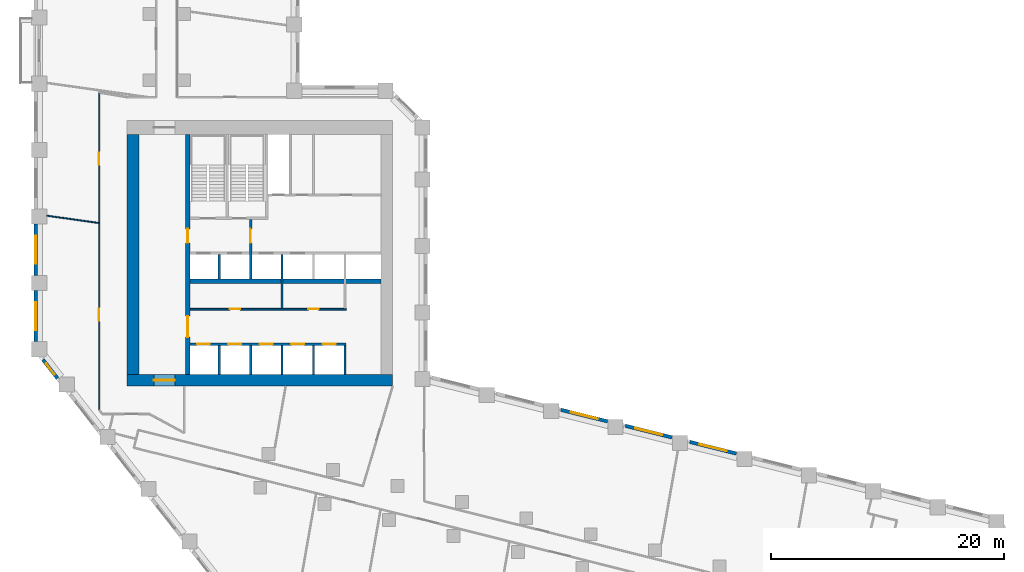
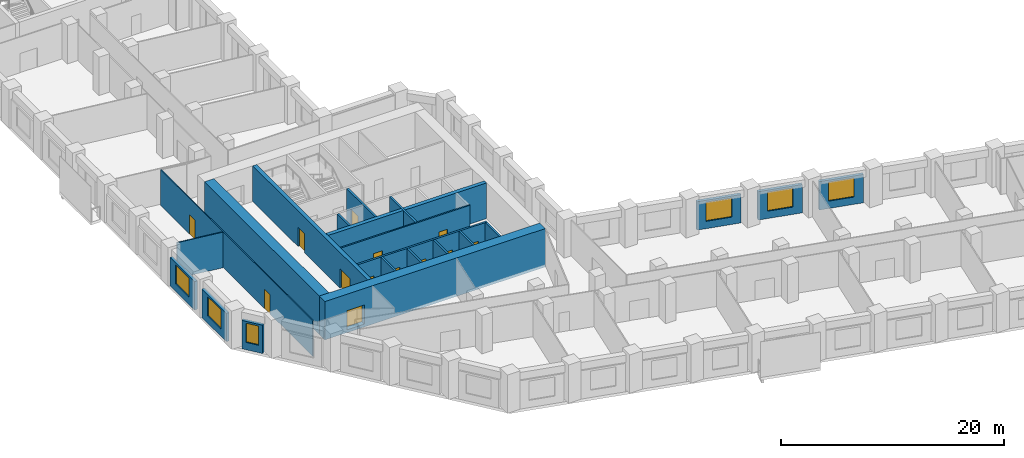
# One storey, part 4 of 10: 22 walls, 13 doors, 6 windows, 19 openings.
"""IFC4 building model written with IfcOpenShell, lengths in metres."""

from ifc_helpers import new_model, si_unit, direction, frame, frame_2d, origin, place, context, subcontext, project, spatial, rectangle, extrude, material, layer, layer_set, type_object, element, fill, save


model = new_model("IFC4")

# Units and contexts
model_context = context("Model", 3, precision=1e-05, world=origin(), true_north=direction((0.0, 1.0)))
body_context = subcontext(model_context, "Body", "Model", "MODEL_VIEW")
ifc_project = project(units=[si_unit("LENGTHUNIT", "METRE"), si_unit("AREAUNIT", "SQUARE_METRE"), si_unit("VOLUMEUNIT", "CUBIC_METRE"), si_unit("PLANEANGLEUNIT", "RADIAN"), si_unit("MASSUNIT", "GRAM", prefix="KILO")], contexts=[model_context])

# Site, building, storey
site_placement = place(None, origin())
site = spatial("IfcSite", under=ifc_project, at=site_placement, CompositionType="ELEMENT")
building_placement = place(site_placement, origin())
building = spatial("IfcBuilding", under=site, at=building_placement, Name="Meshkara Civic Tower", CompositionType="ELEMENT")
storey_placement = place(building_placement, frame((0.0, 0.0, 118.199951171875)))
storey = spatial("IfcBuildingStorey", under=building, at=storey_placement, Name="L26", CompositionType="ELEMENT", Elevation=118.199951171875)

# Wall, openings, doors
ifc_material_1 = material(Name="Blockwork", Category="masonry")
ifc_layer_1 = layer(ifc_material_1, 0.14990234375)
ifc_layer_set_1 = layer_set([ifc_layer_1], Name="Core partition 150")
wall_type_1 = type_object("IfcWallType", Name="Core partition 150", PredefinedType="PARTITIONING", material=ifc_layer_set_1)
wall_1_placement = place(storey_placement, frame((13.39990234375, 20.699951171875, 0.0), z_axis=(0.0, 0.0, 1.0), x_axis=(1.0, 0.0, 0.0)))
wall_1 = element("IfcWall", 1, at=wall_1_placement, inside=storey, type_object=wall_type_1, Name="L26-C006", PredefinedType="PARTITIONING", context=body_context, shape_type="SweptSolid", body=[
    extrude(rectangle(XDim=13.400146484375, YDim=0.14990234375, at=frame_2d((6.7001953125, 0.0))), origin(), (0.0, 0.0, 1.0), 3.900146484375),
])
opening_1_placement = place(wall_1_placement, frame((3.39990234375, 0.0, 0.0)))
opening_1 = element("IfcOpeningElement", 2, at=opening_1_placement, cuts=wall_1, Name="Opening L26-K010", PredefinedType="OPENING", context=body_context, shape_type="SweptSolid", body=[
    extrude(rectangle(XDim=0.89990234375, YDim=2.10009765625, at=frame_2d((0.449951171875, 1.050048828125))), frame((0.0, 0.0849609375, 0.0), z_axis=(0.0, -1.0, 0.0), x_axis=(1.0, 0.0, 0.0)), (0.0, 0.0, 1.0), 0.169921875),
])
opening_2_placement = place(wall_1_placement, frame((10.14990234375, 0.0, 0.0)))
opening_2 = element("IfcOpeningElement", 3, at=opening_2_placement, cuts=wall_1, Name="Opening L26-K011", PredefinedType="OPENING", context=body_context, shape_type="SweptSolid", body=[
    extrude(rectangle(XDim=0.89990234375, YDim=2.10009765625, at=frame_2d((0.449951171875, 1.050048828125))), frame((0.0, 0.0849609375, 0.0), z_axis=(0.0, -1.0, 0.0), x_axis=(1.0, 0.0, 0.0)), (0.0, 0.0, 1.0), 0.169921875),
])
ifc_material_2 = material(Name="Timber door leaf in steel frame", Category="steel")
door_type_1 = type_object("IfcDoorType", Name="Core room door 900", OperationType="SINGLE_SWING_LEFT", PredefinedType="DOOR", material=ifc_material_2)
door_1_placement = place(opening_1_placement, origin())
door_1 = element("IfcDoor", 4, at=door_1_placement, inside=storey, type_object=door_type_1, Name="L26-K010", OperationType="SINGLE_SWING_RIGHT", OverallHeight=2.10009765625, OverallWidth=0.89990234375, PredefinedType="DOOR", context=body_context, shape_type="SweptSolid", body=[
    extrude(rectangle(XDim=0.89990234375, YDim=2.10009765625, at=frame_2d((0.449951171875, 1.050048828125))), frame((0.0, 0.02490234375, 0.0), z_axis=(0.0, -1.0, 0.0), x_axis=(1.0, 0.0, 0.0)), (0.0, 0.0, 1.0), 0.050048828125),
])
fill(opening_1, door_1)
door_2_placement = place(opening_2_placement, origin())
door_2 = element("IfcDoor", 5, at=door_2_placement, inside=storey, type_object=door_type_1, Name="L26-K011", OperationType="SINGLE_SWING_RIGHT", OverallHeight=2.10009765625, OverallWidth=0.89990234375, PredefinedType="DOOR", context=body_context, shape_type="SweptSolid", body=[
    extrude(rectangle(XDim=0.89990234375, YDim=2.10009765625, at=frame_2d((0.449951171875, 1.050048828125))), frame((0.0, 0.02490234375, 0.0), z_axis=(0.0, -1.0, 0.0), x_axis=(1.0, 0.0, 0.0)), (0.0, 0.0, 1.0), 0.050048828125),
])
fill(opening_2, door_2)

# Wall, opening, door
ifc_material_3 = material(Name="Concrete C70", Category="concrete")
ifc_layer_2 = layer(ifc_material_3, 1.0)
ifc_layer_set_2 = layer_set([ifc_layer_2], Name="Core ring wall 1000 C70")
wall_type_2 = type_object("IfcWallType", Name="Core ring wall 1000 C70", PredefinedType="SHEAR", material=ifc_layer_set_2)
wall_2_placement = place(storey_placement, frame((8.0, 14.60009765625, -0.300048828125), z_axis=(0.0, 0.0, 1.0), x_axis=(1.0, 0.0, 0.0)))
wall_2 = element("IfcWall", 6, at=wall_2_placement, inside=storey, type_object=wall_type_2, Name="L26-C001", PredefinedType="SHEAR", context=body_context, shape_type="SweptSolid", body=[
    extrude(rectangle(XDim=22.800048828125, YDim=1.0, at=frame_2d((11.39990234375, 0.0))), origin(), (0.0, 0.0, 1.0), 4.2001953125),
])
opening_3_placement = place(wall_2_placement, frame((2.300048828125, 0.0, 0.300048828125)))
opening_3 = element("IfcOpeningElement", 7, at=opening_3_placement, cuts=wall_2, Name="Opening L26-K021", PredefinedType="OPENING", context=body_context, shape_type="SweptSolid", body=[
    extrude(rectangle(XDim=1.800048828125, YDim=2.10009765625, at=frame_2d((0.89990234375, 1.050048828125))), frame((0.0, 0.510009765625, 0.0), z_axis=(0.0, -1.0, 0.0), x_axis=(1.0, 0.0, 0.0)), (0.0, 0.0, 1.0), 1.02001953125),
])
ifc_material_4 = material(Name="Fire-rated door leaf in steel frame", Category="steel")
door_type_2 = type_object("IfcDoorType", Name="Core double door 1800 EI 60", OperationType="DOUBLE_DOOR_SINGLE_SWING", PredefinedType="DOOR", material=ifc_material_4)
door_3_placement = place(opening_3_placement, origin())
door_3 = element("IfcDoor", 8, at=door_3_placement, inside=storey, type_object=door_type_2, Name="L26-K021", OperationType="DOUBLE_DOOR_SINGLE_SWING", OverallHeight=2.10009765625, OverallWidth=1.800048828125, PredefinedType="DOOR", context=body_context, shape_type="SweptSolid", body=[
    extrude(rectangle(XDim=1.800048828125, YDim=2.10009765625, at=frame_2d((0.89990234375, 1.050048828125))), frame((0.0, 0.02490234375, 0.0), z_axis=(0.0, -1.0, 0.0), x_axis=(1.0, 0.0, 0.0)), (0.0, 0.0, 1.0), 0.050048828125),
])
fill(opening_3, door_3)

# Walls
wall_3_placement = place(storey_placement, frame((8.5, 15.10009765625, -0.300048828125), z_axis=(0.0, 0.0, 1.0), x_axis=(0.0, 1.0, 0.0)))
element("IfcWall", 9, at=wall_3_placement, inside=storey, type_object=wall_type_2, Name="L26-C003", PredefinedType="SHEAR", context=body_context, shape_type="SweptSolid", body=[
    extrude(rectangle(XDim=20.599853515625, YDim=1.0, at=frame_2d((10.2998046875, 0.0))), origin(), (0.0, 0.0, 1.0), 4.2001953125),
])
ifc_material_5 = material(Name="Concrete C70", Category="concrete")
ifc_layer_3 = layer(ifc_material_5, 0.39990234375)
ifc_layer_set_3 = layer_set([ifc_layer_3], Name="Core shear wall 400 C70")
wall_type_3 = type_object("IfcWallType", Name="Core shear wall 400 C70", PredefinedType="SHEAR", material=ifc_layer_set_3)
wall_4_placement = place(storey_placement, frame((13.39990234375, 23.10009765625, 0.0), z_axis=(0.0, 0.0, 1.0), x_axis=(1.0, 0.0, 0.0)))
element("IfcWall", 10, at=wall_4_placement, inside=storey, type_object=wall_type_3, Name="L26-C007", PredefinedType="SHEAR", context=body_context, shape_type="SweptSolid", body=[
    extrude(rectangle(XDim=16.400146484375, YDim=0.39990234375, at=frame_2d((8.2001953125, 0.0))), origin(), (0.0, 0.0, 1.0), 3.900146484375),
])

# Wall, openings, doors
wall_5_placement = place(storey_placement, frame((13.199951171875, 15.10009765625, 0.0), z_axis=(0.0, 0.0, 1.0), x_axis=(0.0, 1.0, 0.0)))
wall_5 = element("IfcWall", 11, at=wall_5_placement, inside=storey, type_object=wall_type_3, Name="L26-C011", PredefinedType="SHEAR", context=body_context, shape_type="SweptSolid", body=[
    extrude(rectangle(XDim=20.599853515625, YDim=0.39990234375, at=frame_2d((10.2998046875, 0.0))), origin(), (0.0, 0.0, 1.0), 3.900146484375),
])
opening_4_placement = place(wall_5_placement, frame((3.199951171875, 0.0, 0.0)))
opening_4 = element("IfcOpeningElement", 12, at=opening_4_placement, cuts=wall_5, Name="Opening L26-K017", PredefinedType="OPENING", context=body_context, shape_type="SweptSolid", body=[
    extrude(rectangle(XDim=1.800048828125, YDim=2.10009765625, at=frame_2d((0.89990234375, 1.050048828125))), frame((0.0, 0.2099609375, 0.0), z_axis=(0.0, -1.0, 0.0), x_axis=(1.0, 0.0, 0.0)), (0.0, 0.0, 1.0), 0.419921875),
])
opening_5_placement = place(wall_5_placement, frame((11.300048828125, 0.0, 0.0)))
opening_5 = element("IfcOpeningElement", 13, at=opening_5_placement, cuts=wall_5, Name="Opening L26-K018", PredefinedType="OPENING", context=body_context, shape_type="SweptSolid", body=[
    extrude(rectangle(XDim=1.199951171875, YDim=2.10009765625, at=frame_2d((0.60009765625, 1.050048828125))), frame((0.0, 0.2099609375, 0.0), z_axis=(0.0, -1.0, 0.0), x_axis=(1.0, 0.0, 0.0)), (0.0, 0.0, 1.0), 0.419921875),
])
door_4_placement = place(opening_4_placement, origin())
door_4 = element("IfcDoor", 14, at=door_4_placement, inside=storey, type_object=door_type_2, Name="L26-K017", OperationType="DOUBLE_DOOR_SINGLE_SWING", OverallHeight=2.10009765625, OverallWidth=1.800048828125, PredefinedType="DOOR", context=body_context, shape_type="SweptSolid", body=[
    extrude(rectangle(XDim=1.800048828125, YDim=2.10009765625, at=frame_2d((0.89990234375, 1.050048828125))), frame((0.0, 0.02490234375, 0.0), z_axis=(0.0, -1.0, 0.0), x_axis=(1.0, 0.0, 0.0)), (0.0, 0.0, 1.0), 0.050048828125),
])
fill(opening_4, door_4)
ifc_material_6 = material(Name="Fire-rated door leaf in steel frame", Category="steel")
door_type_3 = type_object("IfcDoorType", Name="Fire-fighting lobby door 1200 EI 120", OperationType="SINGLE_SWING_LEFT", PredefinedType="DOOR", material=ifc_material_6)
door_5_placement = place(opening_5_placement, origin())
door_5 = element("IfcDoor", 15, at=door_5_placement, inside=storey, type_object=door_type_3, Name="L26-K018", OperationType="SINGLE_SWING_LEFT", OverallHeight=2.10009765625, OverallWidth=1.199951171875, PredefinedType="DOOR", context=body_context, shape_type="SweptSolid", body=[
    extrude(rectangle(XDim=1.199951171875, YDim=2.10009765625, at=frame_2d((0.60009765625, 1.050048828125))), frame((0.0, 0.02490234375, 0.0), z_axis=(0.0, -1.0, 0.0), x_axis=(1.0, 0.0, 0.0)), (0.0, 0.0, 1.0), 0.050048828125),
])
fill(opening_5, door_5)

ifc_material_7 = material(Name="Corridor wall 100")
ifc_layer_4 = layer(ifc_material_7, 0.10009765625)
ifc_layer_set_4 = layer_set([ifc_layer_4], Name="Corridor wall 100")
wall_type_4 = type_object("IfcWallType", Name="Corridor wall 100", PredefinedType="PARTITIONING", material=ifc_layer_set_4)
wall_6_placement = place(storey_placement, frame((5.60009765625, 39.300048828125, 0.0), z_axis=(0.0, 0.0, 1.0), x_axis=(0.0, -1.0, 0.0)))
wall_6 = element("IfcWall", 16, at=wall_6_placement, inside=storey, type_object=wall_type_4, Name="L26-W004", PredefinedType="PARTITIONING", context=body_context, shape_type="SweptSolid", body=[
    extrude(rectangle(XDim=27.257080078125, YDim=0.10009765625, at=frame_2d((13.62841796875, 0.0))), origin(), (0.0, 0.0, 1.0), 3.900146484375),
])
opening_6_placement = place(wall_6_placement, frame((18.5791015625, 0.0, 0.0)))
opening_6 = element("IfcOpeningElement", 17, at=opening_6_placement, cuts=wall_6, Name="Opening L26-D015", PredefinedType="OPENING", context=body_context, shape_type="SweptSolid", body=[
    extrude(rectangle(XDim=1.0, YDim=2.10009765625, at=frame_2d((0.5, 1.050048828125))), frame((0.0, 0.06005859375, 0.0), z_axis=(0.0, -1.0, 0.0), x_axis=(1.0, 0.0, 0.0)), (0.0, 0.0, 1.0), 0.1201171875),
])
opening_7_placement = place(wall_6_placement, frame((5.179931640625, 0.0, 0.0)))
opening_7 = element("IfcOpeningElement", 18, at=opening_7_placement, cuts=wall_6, Name="Opening L26-D016", PredefinedType="OPENING", context=body_context, shape_type="SweptSolid", body=[
    extrude(rectangle(XDim=1.0, YDim=2.10009765625, at=frame_2d((0.5, 1.050048828125))), frame((0.0, 0.06005859375, 0.0), z_axis=(0.0, -1.0, 0.0), x_axis=(1.0, 0.0, 0.0)), (0.0, 0.0, 1.0), 0.1201171875),
])
ifc_material_8 = material(Name="Door 1000 x 2100")
door_type_4 = type_object("IfcDoorType", Name="Door 1000 x 2100", OperationType="SINGLE_SWING_LEFT", PredefinedType="DOOR", material=ifc_material_8)
door_6_placement = place(opening_6_placement, origin())
door_6 = element("IfcDoor", 19, at=door_6_placement, inside=storey, type_object=door_type_4, Name="L26-D015", OperationType="SINGLE_SWING_RIGHT", OverallHeight=2.10009765625, OverallWidth=1.0, PredefinedType="DOOR", context=body_context, shape_type="SweptSolid", body=[
    extrude(rectangle(XDim=1.0, YDim=2.10009765625, at=frame_2d((0.5, 1.050048828125))), frame((0.0, 0.02490234375, 0.0), z_axis=(0.0, -1.0, 0.0), x_axis=(1.0, 0.0, 0.0)), (0.0, 0.0, 1.0), 0.050048828125),
])
fill(opening_6, door_6)
door_7_placement = place(opening_7_placement, origin())
door_7 = element("IfcDoor", 20, at=door_7_placement, inside=storey, type_object=door_type_4, Name="L26-D016", OperationType="SINGLE_SWING_LEFT", OverallHeight=2.10009765625, OverallWidth=1.0, PredefinedType="DOOR", context=body_context, shape_type="SweptSolid", body=[
    extrude(rectangle(XDim=1.0, YDim=2.10009765625, at=frame_2d((0.5, 1.050048828125))), frame((0.0, 0.02490234375, 0.0), z_axis=(0.0, -1.0, 0.0), x_axis=(1.0, 0.0, 0.0)), (0.0, 0.0, 1.0), 0.050048828125),
])
fill(opening_7, door_7)

# Wall, opening, window
ifc_material_9 = material(Name="Insulated infill panel with bronze anodised aluminium cladding", Category="aluminium")
ifc_layer_5 = layer(ifc_material_9, 0.300048828125)
ifc_layer_set_5 = layer_set([ifc_layer_5], Name="EXTERNAL INFILL WALL 300")
wall_type_5 = type_object("IfcWallType", Name="EXTERNAL INFILL WALL 300", PredefinedType="SOLIDWALL", material=ifc_layer_set_5)
wall_7_placement = place(storey_placement, frame((60.31103515625, 8.305908203125, 0.0), z_axis=(0.0, 0.0, 1.0), x_axis=(-0.970267747908, 0.242034083076, 0.0)))
wall_7 = element("IfcWall", 21, at=wall_7_placement, inside=storey, type_object=wall_type_5, Name="External wall", PredefinedType="SOLIDWALL", context=body_context, shape_type="SweptSolid", body=[
    extrude(rectangle(XDim=4.12353515625, YDim=0.300048828125, at=frame_2d((2.061767578125, 0.0))), origin(), (0.0, 0.0, 1.0), 3.10009765625),
])
opening_8_placement = place(wall_7_placement, frame((0.862060546875, 0.0, 0.800048828125)))
opening_8 = element("IfcOpeningElement", 22, at=opening_8_placement, cuts=wall_7, Name="Opening W7", PredefinedType="OPENING", context=body_context, shape_type="SweptSolid", body=[
    extrude(rectangle(XDim=2.39990234375, YDim=2.10009765625, at=frame_2d((1.199951171875, 1.050048828125))), frame((0.0, 0.159912109375, 0.0), z_axis=(0.0, -1.0, 0.0), x_axis=(1.0, 0.0, 0.0)), (0.0, 0.0, 1.0), 0.320068359375),
])
ifc_material_10 = material(Name="Tinted double glazing", Category="glass")
window_type_1 = type_object("IfcWindowType", Name="WINDOW 2400x2100", PartitioningType="DOUBLE_PANEL_VERTICAL", PredefinedType="WINDOW", material=ifc_material_10)
window_1_placement = place(opening_8_placement, origin())
window_1 = element("IfcWindow", 23, at=window_1_placement, inside=storey, type_object=window_type_1, Name="Window", OverallHeight=2.10009765625, OverallWidth=2.39990234375, PartitioningType="DOUBLE_PANEL_VERTICAL", PredefinedType="WINDOW", context=body_context, shape_type="SweptSolid", body=[
    extrude(rectangle(XDim=2.39990234375, YDim=2.10009765625, at=frame_2d((1.199951171875, 1.050048828125))), frame((0.0, 0.030029296875, 0.0), z_axis=(0.0, -1.0, 0.0), x_axis=(1.0, 0.0, 0.0)), (0.0, 0.0, 1.0), 0.06005859375),
])
fill(opening_8, window_1)

wall_8_placement = place(storey_placement, frame((54.781005859375, 9.68505859375, 0.0), z_axis=(0.0, 0.0, 1.0), x_axis=(-0.970281616392, 0.241978480223, 0.0)))
wall_8 = element("IfcWall", 24, at=wall_8_placement, inside=storey, type_object=wall_type_5, Name="External wall", PredefinedType="SOLIDWALL", context=body_context, shape_type="SweptSolid", body=[
    extrude(rectangle(XDim=4.12451171875, YDim=0.300048828125, at=frame_2d((2.062255859375, 0.0))), origin(), (0.0, 0.0, 1.0), 3.10009765625),
])
opening_9_placement = place(wall_8_placement, frame((0.862060546875, 0.0, 0.800048828125)))
opening_9 = element("IfcOpeningElement", 25, at=opening_9_placement, cuts=wall_8, Name="Opening W7", PredefinedType="OPENING", context=body_context, shape_type="SweptSolid", body=[
    extrude(rectangle(XDim=2.39990234375, YDim=2.10009765625, at=frame_2d((1.199951171875, 1.050048828125))), frame((0.0, 0.159912109375, 0.0), z_axis=(0.0, -1.0, 0.0), x_axis=(1.0, 0.0, 0.0)), (0.0, 0.0, 1.0), 0.320068359375),
])
window_2_placement = place(opening_9_placement, origin())
window_2 = element("IfcWindow", 26, at=window_2_placement, inside=storey, type_object=window_type_1, Name="Window", OverallHeight=2.10009765625, OverallWidth=2.39990234375, PartitioningType="DOUBLE_PANEL_VERTICAL", PredefinedType="WINDOW", context=body_context, shape_type="SweptSolid", body=[
    extrude(rectangle(XDim=2.39990234375, YDim=2.10009765625, at=frame_2d((1.199951171875, 1.050048828125))), frame((0.0, 0.030029296875, 0.0), z_axis=(0.0, -1.0, 0.0), x_axis=(1.0, 0.0, 0.0)), (0.0, 0.0, 1.0), 0.06005859375),
])
fill(opening_9, window_2)

wall_9_placement = place(storey_placement, frame((49.25, 11.06396484375, 0.0), z_axis=(0.0, 0.0, 1.0), x_axis=(-0.970281616392, 0.241978480223, 0.0)))
wall_9 = element("IfcWall", 27, at=wall_9_placement, inside=storey, type_object=wall_type_5, Name="External wall", PredefinedType="SOLIDWALL", context=body_context, shape_type="SweptSolid", body=[
    extrude(rectangle(XDim=4.12451171875, YDim=0.300048828125, at=frame_2d((2.062255859375, 0.0))), origin(), (0.0, 0.0, 1.0), 3.10009765625),
])
opening_10_placement = place(wall_9_placement, frame((0.862060546875, 0.0, 0.800048828125)))
opening_10 = element("IfcOpeningElement", 28, at=opening_10_placement, cuts=wall_9, Name="Opening W7", PredefinedType="OPENING", context=body_context, shape_type="SweptSolid", body=[
    extrude(rectangle(XDim=2.39990234375, YDim=2.10009765625, at=frame_2d((1.199951171875, 1.050048828125))), frame((0.0, 0.159912109375, 0.0), z_axis=(0.0, -1.0, 0.0), x_axis=(1.0, 0.0, 0.0)), (0.0, 0.0, 1.0), 0.320068359375),
])
window_3_placement = place(opening_10_placement, origin())
window_3 = element("IfcWindow", 29, at=window_3_placement, inside=storey, type_object=window_type_1, Name="Window", OverallHeight=2.10009765625, OverallWidth=2.39990234375, PartitioningType="DOUBLE_PANEL_VERTICAL", PredefinedType="WINDOW", context=body_context, shape_type="SweptSolid", body=[
    extrude(rectangle(XDim=2.39990234375, YDim=2.10009765625, at=frame_2d((1.199951171875, 1.050048828125))), frame((0.0, 0.030029296875, 0.0), z_axis=(0.0, -1.0, 0.0), x_axis=(1.0, 0.0, 0.0)), (0.0, 0.0, 1.0), 0.06005859375),
])
fill(opening_10, window_3)

wall_10_placement = place(storey_placement, frame((0.14990234375, 28.0048828125, 0.0), z_axis=(0.0, 0.0, 1.0), x_axis=(0.0, -1.0, 0.0)))
wall_10 = element("IfcWall", 30, at=wall_10_placement, inside=storey, type_object=wall_type_5, Name="External wall", PredefinedType="SOLIDWALL", context=body_context, shape_type="SweptSolid", body=[
    extrude(rectangle(XDim=4.39990234375, YDim=0.300048828125, at=frame_2d((2.199951171875, 0.0))), origin(), (0.0, 0.0, 1.0), 3.10009765625),
])
opening_11_placement = place(wall_10_placement, frame((1.0, 0.0, 0.800048828125)))
opening_11 = element("IfcOpeningElement", 31, at=opening_11_placement, cuts=wall_10, Name="Opening W7", PredefinedType="OPENING", context=body_context, shape_type="SweptSolid", body=[
    extrude(rectangle(XDim=2.39990234375, YDim=2.10009765625, at=frame_2d((1.199951171875, 1.050048828125))), frame((0.0, 0.159912109375, 0.0), z_axis=(0.0, -1.0, 0.0), x_axis=(1.0, 0.0, 0.0)), (0.0, 0.0, 1.0), 0.320068359375),
])
window_4_placement = place(opening_11_placement, origin())
window_4 = element("IfcWindow", 32, at=window_4_placement, inside=storey, type_object=window_type_1, Name="Window", OverallHeight=2.10009765625, OverallWidth=2.39990234375, PartitioningType="DOUBLE_PANEL_VERTICAL", PredefinedType="WINDOW", context=body_context, shape_type="SweptSolid", body=[
    extrude(rectangle(XDim=2.39990234375, YDim=2.10009765625, at=frame_2d((1.199951171875, 1.050048828125))), frame((0.0, 0.030029296875, 0.0), z_axis=(0.0, -1.0, 0.0), x_axis=(1.0, 0.0, 0.0)), (0.0, 0.0, 1.0), 0.06005859375),
])
fill(opening_11, window_4)

wall_11_placement = place(storey_placement, frame((0.14990234375, 22.304931640625, 0.0), z_axis=(0.0, 0.0, 1.0), x_axis=(0.0, -1.0, 0.0)))
wall_11 = element("IfcWall", 33, at=wall_11_placement, inside=storey, type_object=wall_type_5, Name="External wall", PredefinedType="SOLIDWALL", context=body_context, shape_type="SweptSolid", body=[
    extrude(rectangle(XDim=4.39990234375, YDim=0.300048828125, at=frame_2d((2.199951171875, 0.0))), origin(), (0.0, 0.0, 1.0), 3.10009765625),
])
opening_12_placement = place(wall_11_placement, frame((1.0, 0.0, 0.800048828125)))
opening_12 = element("IfcOpeningElement", 34, at=opening_12_placement, cuts=wall_11, Name="Opening W7", PredefinedType="OPENING", context=body_context, shape_type="SweptSolid", body=[
    extrude(rectangle(XDim=2.39990234375, YDim=2.10009765625, at=frame_2d((1.199951171875, 1.050048828125))), frame((0.0, 0.159912109375, 0.0), z_axis=(0.0, -1.0, 0.0), x_axis=(1.0, 0.0, 0.0)), (0.0, 0.0, 1.0), 0.320068359375),
])
window_5_placement = place(opening_12_placement, origin())
window_5 = element("IfcWindow", 35, at=window_5_placement, inside=storey, type_object=window_type_1, Name="Window", OverallHeight=2.10009765625, OverallWidth=2.39990234375, PartitioningType="DOUBLE_PANEL_VERTICAL", PredefinedType="WINDOW", context=body_context, shape_type="SweptSolid", body=[
    extrude(rectangle(XDim=2.39990234375, YDim=2.10009765625, at=frame_2d((1.199951171875, 1.050048828125))), frame((0.0, 0.030029296875, 0.0), z_axis=(0.0, -1.0, 0.0), x_axis=(1.0, 0.0, 0.0)), (0.0, 0.0, 1.0), 0.06005859375),
])
fill(opening_12, window_5)

wall_12_placement = place(storey_placement, frame((0.77490234375, 16.35107421875, 0.0), z_axis=(0.0, 0.0, 1.0), x_axis=(0.6157921118, -0.787908671766, 0.0)))
wall_12 = element("IfcWall", 36, at=wall_12_placement, inside=storey, type_object=wall_type_5, Name="External wall", PredefinedType="SOLIDWALL", context=body_context, shape_type="SweptSolid", body=[
    extrude(rectangle(XDim=2.015625, YDim=0.300048828125, at=frame_2d((1.0078125, 0.0))), origin(), (0.0, 0.0, 1.0), 3.10009765625),
])
opening_13_placement = place(wall_12_placement, frame((0.407958984375, 0.0, 0.800048828125)))
opening_13 = element("IfcOpeningElement", 37, at=opening_13_placement, cuts=wall_12, Name="Opening W3", PredefinedType="OPENING", context=body_context, shape_type="SweptSolid", body=[
    extrude(rectangle(XDim=1.199951171875, YDim=2.10009765625, at=frame_2d((0.60009765625, 1.050048828125))), frame((0.0, 0.159912109375, 0.0), z_axis=(0.0, -1.0, 0.0), x_axis=(1.0, 0.0, 0.0)), (0.0, 0.0, 1.0), 0.320068359375),
])
ifc_material_11 = material(Name="Tinted double glazing", Category="glass")
window_type_2 = type_object("IfcWindowType", Name="WINDOW 1200x2100", PartitioningType="SINGLE_PANEL", PredefinedType="WINDOW", material=ifc_material_11)
window_6_placement = place(opening_13_placement, origin())
window_6 = element("IfcWindow", 38, at=window_6_placement, inside=storey, type_object=window_type_2, Name="Window", OverallHeight=2.10009765625, OverallWidth=1.199951171875, PartitioningType="SINGLE_PANEL", PredefinedType="WINDOW", context=body_context, shape_type="SweptSolid", body=[
    extrude(rectangle(XDim=1.199951171875, YDim=2.10009765625, at=frame_2d((0.60009765625, 1.050048828125))), frame((0.0, 0.030029296875, 0.0), z_axis=(0.0, -1.0, 0.0), x_axis=(1.0, 0.0, 0.0)), (0.0, 0.0, 1.0), 0.06005859375),
])
fill(opening_13, window_6)

# Wall
ifc_material_12 = material(Name="Partition 100")
ifc_layer_6 = layer(ifc_material_12, 0.10009765625)
ifc_layer_set_6 = layer_set([ifc_layer_6], Name="Partition 100")
wall_type_6 = type_object("IfcWallType", Name="Partition 100", PredefinedType="PARTITIONING", material=ifc_layer_set_6)
wall_13_placement = place(storey_placement, frame((5.54296875, 28.10107421875, 0.0), z_axis=(0.0, 0.0, 1.0), x_axis=(-0.990249777372, 0.139303188816, 0.0)))
element("IfcWall", 39, at=wall_13_placement, inside=storey, type_object=wall_type_6, Name="L26-W032", PredefinedType="PARTITIONING", context=body_context, shape_type="SweptSolid", body=[
    extrude(rectangle(XDim=4.486572265625, YDim=0.10009765625, at=frame_2d((2.2431640625, 0.0))), origin(), (0.0, 0.0, 1.0), 3.900146484375),
])

# Wall, openings, doors
ifc_material_13 = material(Name="Concrete C40/50", Category="concrete")
ifc_layer_7 = layer(ifc_material_13, 0.199951171875)
ifc_layer_set_7 = layer_set([ifc_layer_7], Name="Shaft wall 200 C40/50")
wall_type_7 = type_object("IfcWallType", Name="Shaft wall 200 C40/50", PredefinedType="SOLIDWALL", material=ifc_layer_set_7)
wall_14_placement = place(storey_placement, frame((13.39990234375, 17.699951171875, 0.0), z_axis=(0.0, 0.0, 1.0), x_axis=(1.0, 0.0, 0.0)))
wall_14 = element("IfcWall", 40, at=wall_14_placement, inside=storey, type_object=wall_type_7, Name="L26-C005", PredefinedType="SOLIDWALL", context=body_context, shape_type="SweptSolid", body=[
    extrude(rectangle(XDim=13.400146484375, YDim=0.199951171875, at=frame_2d((6.7001953125, 0.0))), origin(), (0.0, 0.0, 1.0), 3.900146484375),
])
opening_14_placement = place(wall_14_placement, frame((0.60009765625, 0.0, 0.0)))
opening_14 = element("IfcOpeningElement", 41, at=opening_14_placement, cuts=wall_14, Name="Opening L26-K001", PredefinedType="OPENING", context=body_context, shape_type="SweptSolid", body=[
    extrude(rectangle(XDim=1.10009765625, YDim=2.10009765625, at=frame_2d((0.550048828125, 1.050048828125))), frame((0.0, 0.10986328125, 0.0), z_axis=(0.0, -1.0, 0.0), x_axis=(1.0, 0.0, 0.0)), (0.0, 0.0, 1.0), 0.219970703125),
])
opening_15_placement = place(wall_14_placement, frame((3.300048828125, 0.0, 0.0)))
opening_15 = element("IfcOpeningElement", 42, at=opening_15_placement, cuts=wall_14, Name="Opening L26-K002", PredefinedType="OPENING", context=body_context, shape_type="SweptSolid", body=[
    extrude(rectangle(XDim=1.10009765625, YDim=2.10009765625, at=frame_2d((0.550048828125, 1.050048828125))), frame((0.0, 0.10986328125, 0.0), z_axis=(0.0, -1.0, 0.0), x_axis=(1.0, 0.0, 0.0)), (0.0, 0.0, 1.0), 0.219970703125),
])
opening_16_placement = place(wall_14_placement, frame((6.0, 0.0, 0.0)))
opening_16 = element("IfcOpeningElement", 43, at=opening_16_placement, cuts=wall_14, Name="Opening L26-K003", PredefinedType="OPENING", context=body_context, shape_type="SweptSolid", body=[
    extrude(rectangle(XDim=1.10009765625, YDim=2.10009765625, at=frame_2d((0.550048828125, 1.050048828125))), frame((0.0, 0.10986328125, 0.0), z_axis=(0.0, -1.0, 0.0), x_axis=(1.0, 0.0, 0.0)), (0.0, 0.0, 1.0), 0.219970703125),
])
opening_17_placement = place(wall_14_placement, frame((8.699951171875, 0.0, 0.0)))
opening_17 = element("IfcOpeningElement", 44, at=opening_17_placement, cuts=wall_14, Name="Opening L26-K004", PredefinedType="OPENING", context=body_context, shape_type="SweptSolid", body=[
    extrude(rectangle(XDim=1.10009765625, YDim=2.10009765625, at=frame_2d((0.550048828125, 1.050048828125))), frame((0.0, 0.10986328125, 0.0), z_axis=(0.0, -1.0, 0.0), x_axis=(1.0, 0.0, 0.0)), (0.0, 0.0, 1.0), 0.219970703125),
])
opening_18_placement = place(wall_14_placement, frame((11.39990234375, 0.0, 0.0)))
opening_18 = element("IfcOpeningElement", 45, at=opening_18_placement, cuts=wall_14, Name="Opening L26-K005", PredefinedType="OPENING", context=body_context, shape_type="SweptSolid", body=[
    extrude(rectangle(XDim=1.10009765625, YDim=2.10009765625, at=frame_2d((0.550048828125, 1.050048828125))), frame((0.0, 0.10986328125, 0.0), z_axis=(0.0, -1.0, 0.0), x_axis=(1.0, 0.0, 0.0)), (0.0, 0.0, 1.0), 0.219970703125),
])
ifc_material_14 = material(Name="Stainless steel landing door", Category="steel")
door_type_5 = type_object("IfcDoorType", Name="Lift landing door 1100", OperationType="SLIDING_TO_LEFT", PredefinedType="DOOR", material=ifc_material_14)
door_8_placement = place(opening_14_placement, origin())
door_8 = element("IfcDoor", 46, at=door_8_placement, inside=storey, type_object=door_type_5, Name="L26-K001", OperationType="SLIDING_TO_LEFT", OverallHeight=2.10009765625, OverallWidth=1.10009765625, PredefinedType="DOOR", context=body_context, shape_type="SweptSolid", body=[
    extrude(rectangle(XDim=1.10009765625, YDim=2.10009765625, at=frame_2d((0.550048828125, 1.050048828125))), frame((0.0, 0.02490234375, 0.0), z_axis=(0.0, -1.0, 0.0), x_axis=(1.0, 0.0, 0.0)), (0.0, 0.0, 1.0), 0.050048828125),
])
fill(opening_14, door_8)
door_9_placement = place(opening_15_placement, origin())
door_9 = element("IfcDoor", 47, at=door_9_placement, inside=storey, type_object=door_type_5, Name="L26-K002", OperationType="SLIDING_TO_LEFT", OverallHeight=2.10009765625, OverallWidth=1.10009765625, PredefinedType="DOOR", context=body_context, shape_type="SweptSolid", body=[
    extrude(rectangle(XDim=1.10009765625, YDim=2.10009765625, at=frame_2d((0.550048828125, 1.050048828125))), frame((0.0, 0.02490234375, 0.0), z_axis=(0.0, -1.0, 0.0), x_axis=(1.0, 0.0, 0.0)), (0.0, 0.0, 1.0), 0.050048828125),
])
fill(opening_15, door_9)
door_10_placement = place(opening_16_placement, origin())
door_10 = element("IfcDoor", 48, at=door_10_placement, inside=storey, type_object=door_type_5, Name="L26-K003", OperationType="SLIDING_TO_LEFT", OverallHeight=2.10009765625, OverallWidth=1.10009765625, PredefinedType="DOOR", context=body_context, shape_type="SweptSolid", body=[
    extrude(rectangle(XDim=1.10009765625, YDim=2.10009765625, at=frame_2d((0.550048828125, 1.050048828125))), frame((0.0, 0.02490234375, 0.0), z_axis=(0.0, -1.0, 0.0), x_axis=(1.0, 0.0, 0.0)), (0.0, 0.0, 1.0), 0.050048828125),
])
fill(opening_16, door_10)
door_11_placement = place(opening_17_placement, origin())
door_11 = element("IfcDoor", 49, at=door_11_placement, inside=storey, type_object=door_type_5, Name="L26-K004", OperationType="SLIDING_TO_LEFT", OverallHeight=2.10009765625, OverallWidth=1.10009765625, PredefinedType="DOOR", context=body_context, shape_type="SweptSolid", body=[
    extrude(rectangle(XDim=1.10009765625, YDim=2.10009765625, at=frame_2d((0.550048828125, 1.050048828125))), frame((0.0, 0.02490234375, 0.0), z_axis=(0.0, -1.0, 0.0), x_axis=(1.0, 0.0, 0.0)), (0.0, 0.0, 1.0), 0.050048828125),
])
fill(opening_17, door_11)
door_12_placement = place(opening_18_placement, origin())
door_12 = element("IfcDoor", 50, at=door_12_placement, inside=storey, type_object=door_type_5, Name="L26-K005", OperationType="SLIDING_TO_LEFT", OverallHeight=2.10009765625, OverallWidth=1.10009765625, PredefinedType="DOOR", context=body_context, shape_type="SweptSolid", body=[
    extrude(rectangle(XDim=1.10009765625, YDim=2.10009765625, at=frame_2d((0.550048828125, 1.050048828125))), frame((0.0, 0.02490234375, 0.0), z_axis=(0.0, -1.0, 0.0), x_axis=(1.0, 0.0, 0.0)), (0.0, 0.0, 1.0), 0.050048828125),
])
fill(opening_18, door_12)

# Walls
wall_15_placement = place(storey_placement, frame((15.89990234375, 15.10009765625, 0.0), z_axis=(0.0, 0.0, 1.0), x_axis=(0.0, 1.0, 0.0)))
element("IfcWall", 51, at=wall_15_placement, inside=storey, type_object=wall_type_7, Name="L26-C012", PredefinedType="SOLIDWALL", context=body_context, shape_type="SweptSolid", body=[
    extrude(rectangle(XDim=2.5, YDim=0.199951171875, at=frame_2d((1.25, 0.0))), origin(), (0.0, 0.0, 1.0), 3.900146484375),
])
wall_16_placement = place(storey_placement, frame((15.89990234375, 23.300048828125, 0.0), z_axis=(0.0, 0.0, 1.0), x_axis=(0.0, 1.0, 0.0)))
element("IfcWall", 52, at=wall_16_placement, inside=storey, type_object=wall_type_7, Name="L26-C013", PredefinedType="SOLIDWALL", context=body_context, shape_type="SweptSolid", body=[
    extrude(rectangle(XDim=2.099853515625, YDim=0.199951171875, at=frame_2d((1.0498046875, 0.0))), origin(), (0.0, 0.0, 1.0), 3.900146484375),
])
wall_17_placement = place(storey_placement, frame((18.60009765625, 15.10009765625, 0.0), z_axis=(0.0, 0.0, 1.0), x_axis=(0.0, 1.0, 0.0)))
element("IfcWall", 53, at=wall_17_placement, inside=storey, type_object=wall_type_7, Name="L26-C015", PredefinedType="SOLIDWALL", context=body_context, shape_type="SweptSolid", body=[
    extrude(rectangle(XDim=2.5, YDim=0.199951171875, at=frame_2d((1.25, 0.0))), origin(), (0.0, 0.0, 1.0), 3.900146484375),
])

# Wall, opening, door
wall_18_placement = place(storey_placement, frame((18.60009765625, 23.300048828125, 0.0), z_axis=(0.0, 0.0, 1.0), x_axis=(0.0, 1.0, 0.0)))
wall_18 = element("IfcWall", 54, at=wall_18_placement, inside=storey, type_object=wall_type_7, Name="L26-C016", PredefinedType="SOLIDWALL", context=body_context, shape_type="SweptSolid", body=[
    extrude(rectangle(XDim=5.099853515625, YDim=0.199951171875, at=frame_2d((2.5498046875, 0.0))), origin(), (0.0, 0.0, 1.0), 3.900146484375),
])
opening_19_placement = place(wall_18_placement, frame((3.10009765625, 0.0, 0.0)))
opening_19 = element("IfcOpeningElement", 55, at=opening_19_placement, cuts=wall_18, Name="Opening L26-K019", PredefinedType="OPENING", context=body_context, shape_type="SweptSolid", body=[
    extrude(rectangle(XDim=1.199951171875, YDim=2.10009765625, at=frame_2d((0.60009765625, 1.050048828125))), frame((0.0, 0.10986328125, 0.0), z_axis=(0.0, -1.0, 0.0), x_axis=(1.0, 0.0, 0.0)), (0.0, 0.0, 1.0), 0.219970703125),
])
door_13_placement = place(opening_19_placement, origin())
door_13 = element("IfcDoor", 56, at=door_13_placement, inside=storey, type_object=door_type_3, Name="L26-K019", OperationType="SINGLE_SWING_RIGHT", OverallHeight=2.10009765625, OverallWidth=1.199951171875, PredefinedType="DOOR", context=body_context, shape_type="SweptSolid", body=[
    extrude(rectangle(XDim=1.199951171875, YDim=2.10009765625, at=frame_2d((0.60009765625, 1.050048828125))), frame((0.0, 0.02490234375, 0.0), z_axis=(0.0, -1.0, 0.0), x_axis=(1.0, 0.0, 0.0)), (0.0, 0.0, 1.0), 0.050048828125),
])
fill(opening_19, door_13)

# Walls
wall_19_placement = place(storey_placement, frame((21.300048828125, 15.10009765625, 0.0), z_axis=(0.0, 0.0, 1.0), x_axis=(0.0, 1.0, 0.0)))
element("IfcWall", 57, at=wall_19_placement, inside=storey, type_object=wall_type_7, Name="L26-C018", PredefinedType="SOLIDWALL", context=body_context, shape_type="SweptSolid", body=[
    extrude(rectangle(XDim=2.5, YDim=0.199951171875, at=frame_2d((1.25, 0.0))), origin(), (0.0, 0.0, 1.0), 3.900146484375),
])
wall_20_placement = place(storey_placement, frame((21.300048828125, 20.77490234375, 0.0), z_axis=(0.0, 0.0, 1.0), x_axis=(0.0, 1.0, 0.0)))
element("IfcWall", 58, at=wall_20_placement, inside=storey, type_object=wall_type_7, Name="L26-C019", PredefinedType="SOLIDWALL", context=body_context, shape_type="SweptSolid", body=[
    extrude(rectangle(XDim=4.625, YDim=0.199951171875, at=frame_2d((2.3125, 0.0))), origin(), (0.0, 0.0, 1.0), 3.900146484375),
])
for number, where, z_axis, x_axis, name in (
    (59, (24.0, 15.10009765625, 0.0), (0.0, 0.0, 1.0), (0.0, 1.0, 0.0), "L26-C021"),
    (60, (26.699951171875, 15.10009765625, 0.0), (0.0, 0.0, 1.0), (0.0, 1.0, 0.0), "L26-C024"),
):
    element("IfcWall", number, at=place(storey_placement, frame(where, z_axis=z_axis, x_axis=x_axis)), inside=storey, type_object=wall_type_7, Name=name, PredefinedType="SOLIDWALL", context=body_context, shape_type="SweptSolid", body=[
        extrude(rectangle(XDim=2.5, YDim=0.199951171875, at=frame_2d((1.25, 0.0))), origin(), (0.0, 0.0, 1.0), 3.900146484375),
    ])

save(model, "model.ifc")
